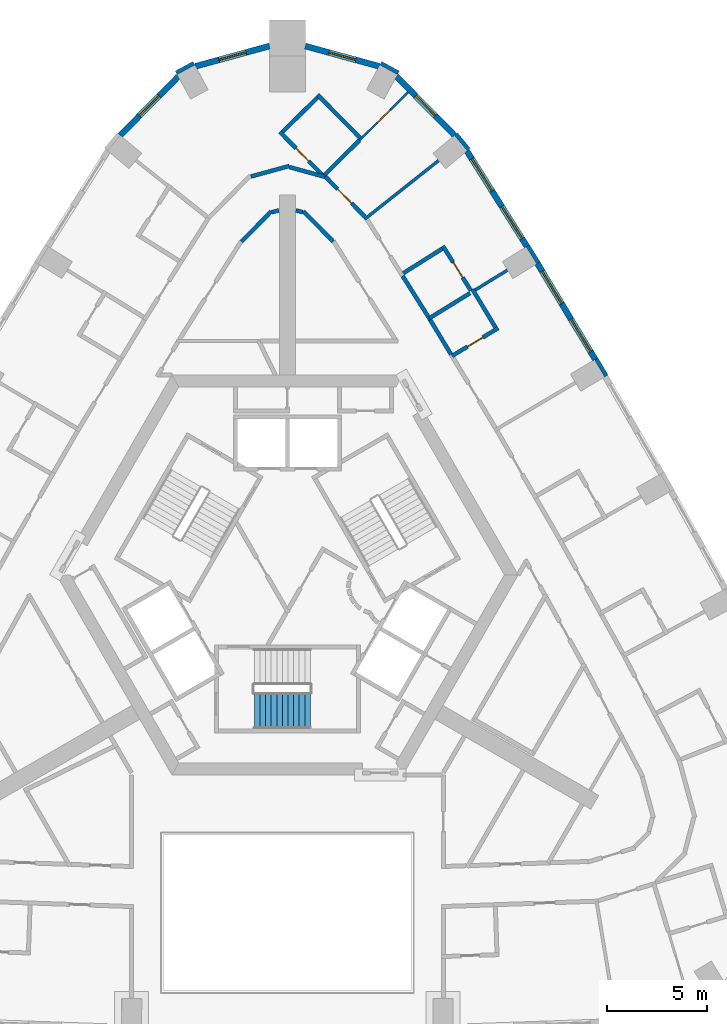
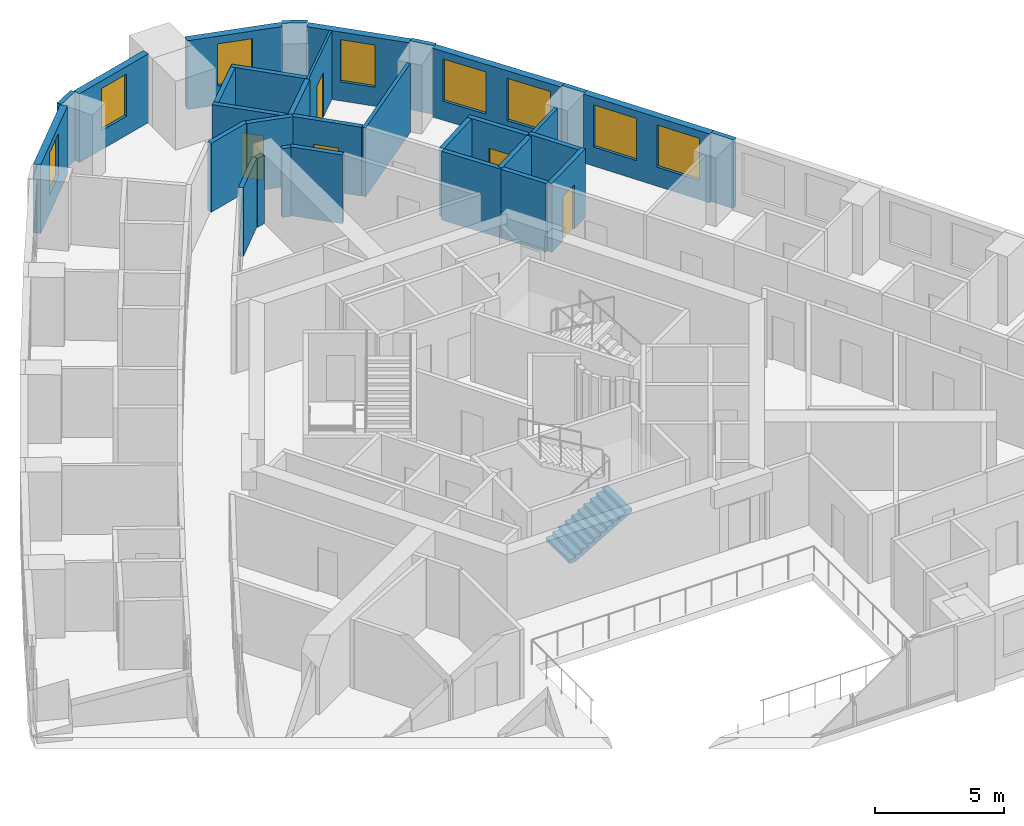
# One storey, part 10 of 12: 32 walls, 8 windows, 5 doors, 1 stair flight, 13 openings, 1 element without a shape of its own.
"""IFC4 building model written with IfcOpenShell, lengths in metres."""

from ifc_helpers import new_model, si_unit, direction, frame, frame_2d, origin, place, context, subcontext, project, spatial, polyline, rectangle, outline, extrude, material, layer, layer_set, type_object, element, fill, aggregate, save


model = new_model("IFC4")

# Units and contexts
model_context = context("Model", 3, precision=1e-05, world=origin(), true_north=direction((0.0, 1.0)))
body_context = subcontext(model_context, "Body", "Model", "MODEL_VIEW")
ifc_project = project(units=[si_unit("LENGTHUNIT", "METRE"), si_unit("AREAUNIT", "SQUARE_METRE"), si_unit("VOLUMEUNIT", "CUBIC_METRE"), si_unit("PLANEANGLEUNIT", "RADIAN"), si_unit("MASSUNIT", "GRAM", prefix="KILO")], contexts=[model_context])

# Site, building, storey
site_placement = place(None, origin())
site = spatial("IfcSite", under=ifc_project, at=site_placement, CompositionType="ELEMENT")
building_placement = place(site_placement, origin())
building = spatial("IfcBuilding", under=site, at=building_placement, Name="Entoto Arch Interchange Tower", CompositionType="ELEMENT")
storey_placement = place(building_placement, frame((0.0, 0.0, 255.800048828125)))
storey = spatial("IfcBuildingStorey", under=building, at=storey_placement, Name="L58", CompositionType="ELEMENT", Elevation=255.800048828125)

# Wall, opening, door
ifc_material_1 = material(Name="Gypsum board partition on steel studs", Category="steel")
ifc_layer_1 = layer(ifc_material_1, 0.10009765625)
ifc_layer_set_1 = layer_set([ifc_layer_1], Name="Gypsum board partition on steel studs")
wall_type_1 = type_object("IfcWallType", Name="PARTITION 100", PredefinedType="PARTITIONING", material=ifc_layer_set_1)
wall_1_placement = place(storey_placement, frame((3.613037109375, 24.237060546875, 0.0), z_axis=(0.0, 0.0, 1.0), x_axis=(0.711651188682, 0.702532978335, 0.0)))
wall_1 = element("IfcWall", 1, at=wall_1_placement, inside=storey, type_object=wall_type_1, Name="wall:L58:p150", PredefinedType="PARTITIONING", context=body_context, shape_type="SweptSolid", body=[
    extrude(rectangle(XDim=3.400390625, YDim=0.10009765625, at=frame_2d((1.7001953125, 0.0))), origin(), (0.0, 0.0, 1.0), 3.260009765625),
])
opening_1_placement = place(wall_1_placement, frame((1.25, 0.0, 0.0)))
opening_1 = element("IfcOpeningElement", 2, at=opening_1_placement, cuts=wall_1, Name="Opening L58-D17", PredefinedType="OPENING", context=body_context, shape_type="SweptSolid", body=[
    extrude(rectangle(XDim=0.89990234375, YDim=2.10009765625, at=frame_2d((0.449951171875, 1.050048828125))), frame((0.0, 0.06005859375, 0.0), z_axis=(0.0, -1.0, 0.0), x_axis=(1.0, 0.0, 0.0)), (0.0, 0.0, 1.0), 0.1201171875),
])
ifc_material_2 = material(Name="Timber door leaf in Steel S235 frame", Category="steel")
door_type_1 = type_object("IfcDoorType", Name="DOOR DS-09 900x2100", OperationType="SINGLE_SWING_LEFT", PredefinedType="DOOR", material=ifc_material_2)
door_1_placement = place(opening_1_placement, origin())
door_1 = element("IfcDoor", 3, at=door_1_placement, inside=storey, type_object=door_type_1, Name="door:L58:17", OperationType="SINGLE_SWING_RIGHT", OverallHeight=2.10009765625, OverallWidth=0.89990234375, PredefinedType="DOOR", context=body_context, shape_type="SweptSolid", body=[
    extrude(rectangle(XDim=0.89990234375, YDim=2.10009765625, at=frame_2d((0.449951171875, 1.050048828125))), frame((0.0, 0.02490234375, 0.0), z_axis=(0.0, -1.0, 0.0), x_axis=(1.0, 0.0, 0.0)), (0.0, 0.0, 1.0), 0.050048828125),
])
fill(opening_1, door_1)

# Walls
ifc_layer_2 = layer(ifc_material_1, 0.14990234375)
ifc_layer_set_2 = layer_set([ifc_layer_2], Name="Gypsum board partition on steel studs")
wall_type_2 = type_object("IfcWallType", Name="PARTITION 150", PredefinedType="PARTITIONING", material=ifc_layer_set_2)
wall_2_placement = place(storey_placement, frame((9.39501953125, 16.74609375, 0.0), z_axis=(0.0, 0.0, 1.0), x_axis=(0.851524542888, 0.524314745987, 0.0)))
element("IfcWall", 4, at=wall_2_placement, inside=storey, type_object=wall_type_2, Name="wall:L58:p145", PredefinedType="PARTITIONING", context=body_context, shape_type="SweptSolid", body=[
    extrude(rectangle(XDim=1.880126953125, YDim=0.14990234375, at=frame_2d((0.93994140625, 0.0))), origin(), (0.0, 0.0, 1.0), 3.260009765625),
])
wall_3_placement = place(storey_placement, frame((3.863037109375, 20.283935546875, 0.0), z_axis=(0.0, 0.0, 1.0), x_axis=(0.783618453885, 0.621242399335, 0.0)))
element("IfcWall", 5, at=wall_3_placement, inside=storey, type_object=wall_type_2, Name="wall:L58:p149", PredefinedType="PARTITIONING", context=body_context, shape_type="SweptSolid", body=[
    extrude(rectangle(XDim=4.716552734375, YDim=0.14990234375, at=frame_2d((2.3583984375, 0.0))), origin(), (0.0, 0.0, 1.0), 3.260009765625),
])
ifc_layer_3 = layer(ifc_material_1, 0.199951171875)
ifc_layer_set_3 = layer_set([ifc_layer_3], Name="Gypsum board partition on steel studs")
wall_type_3 = type_object("IfcWallType", Name="PARTITION 200", PredefinedType="PARTITIONING", material=ifc_layer_set_3)
wall_4_placement = place(storey_placement, frame((2.2939453125, 19.1669921875, 0.0), z_axis=(0.0, 0.0, 1.0), x_axis=(-0.70213913596, 0.712039769784, 0.0)))
element("IfcWall", 6, at=wall_4_placement, inside=storey, type_object=wall_type_3, Name="wall:L58:p008", PredefinedType="PARTITIONING", context=body_context, shape_type="SweptSolid", body=[
    extrude(rectangle(XDim=2.12060546875, YDim=0.199951171875, at=frame_2d((1.060302734375, 0.0))), origin(), (0.0, 0.0, 1.0), 3.260009765625),
])
for number, where, z_axis, x_axis, name in (
    (7, (0.778076171875, 20.632080078125, 0.0), (0.0, 0.0, 1.0), (-0.964810127056, 0.262947558899, 0.0), "wall:L58:p009"),
    (8, (-0.426025390625, 20.72802734375, 0.0), (0.0, 0.0, 1.0), (-0.964810127056, -0.262947558899, 0.0), "wall:L58:p011"),
):
    element("IfcWall", number, at=place(storey_placement, frame(where, z_axis=z_axis, x_axis=x_axis)), inside=storey, type_object=wall_type_3, Name=name, PredefinedType="PARTITIONING", context=body_context, shape_type="SweptSolid", body=[
        extrude(rectangle(XDim=0.364990234375, YDim=0.199951171875, at=frame_2d((0.1826171875, 0.0))), origin(), (0.0, 0.0, 1.0), 3.260009765625),
    ])
wall_5_placement = place(storey_placement, frame((-0.804931640625, 20.677001953125, 0.0), z_axis=(0.0, 0.0, 1.0), x_axis=(-0.70213913596, -0.712039769784, 0.0)))
element("IfcWall", 9, at=wall_5_placement, inside=storey, type_object=wall_type_3, Name="wall:L58:p012", PredefinedType="PARTITIONING", context=body_context, shape_type="SweptSolid", body=[
    extrude(rectangle(XDim=2.12060546875, YDim=0.199951171875, at=frame_2d((1.060302734375, 0.0))), origin(), (0.0, 0.0, 1.0), 3.260009765625),
])
wall_6_placement = place(storey_placement, frame((7.14794921875, 15.2451171875, 0.0), z_axis=(0.0, 0.0, 1.0), x_axis=(0.516361066184, -0.856370976463, 0.0)))
element("IfcWall", 10, at=wall_6_placement, inside=storey, type_object=wall_type_3, Name="wall:L58:p049", PredefinedType="PARTITIONING", context=body_context, shape_type="SweptSolid", body=[
    extrude(rectangle(XDim=2.00048828125, YDim=0.199951171875, at=frame_2d((1.000244140625, 0.0))), origin(), (0.0, 0.0, 1.0), 3.260009765625),
])
wall_7_placement = place(storey_placement, frame((5.76611328125, 17.446044921875, 0.0), z_axis=(0.0, 0.0, 1.0), x_axis=(0.532437006176, -0.846469629966, 0.0)))
element("IfcWall", 11, at=wall_7_placement, inside=storey, type_object=wall_type_3, Name="wall:L58:p051", PredefinedType="PARTITIONING", context=body_context, shape_type="SweptSolid", body=[
    extrude(rectangle(XDim=2.598876953125, YDim=0.199951171875, at=frame_2d((1.29931640625, 0.0))), origin(), (0.0, 0.0, 1.0), 3.260009765625),
])

# Wall, opening, door
wall_8_placement = place(storey_placement, frame((1.85107421875, 22.464111328125, 0.0), z_axis=(0.0, 0.0, 1.0), x_axis=(0.70237969133, -0.711802479068, 0.0)))
wall_8 = element("IfcWall", 12, at=wall_8_placement, inside=storey, type_object=wall_type_3, Name="wall:L58:p052", PredefinedType="PARTITIONING", context=body_context, shape_type="SweptSolid", body=[
    extrude(rectangle(XDim=2.8759765625, YDim=0.199951171875, at=frame_2d((1.43798828125, 0.0))), origin(), (0.0, 0.0, 1.0), 3.260009765625),
])
opening_2_placement = place(wall_8_placement, frame((0.93798828125, 0.0, 0.0)))
opening_2 = element("IfcOpeningElement", 13, at=opening_2_placement, cuts=wall_8, Name="Opening L58-D16", PredefinedType="OPENING", context=body_context, shape_type="SweptSolid", body=[
    extrude(rectangle(XDim=1.0, YDim=2.10009765625, at=frame_2d((0.5, 1.050048828125))), frame((0.0, 0.10986328125, 0.0), z_axis=(0.0, -1.0, 0.0), x_axis=(1.0, 0.0, 0.0)), (0.0, 0.0, 1.0), 0.219970703125),
])
ifc_material_3 = material(Name="Fire-rated Steel S235 door and frame", Category="steel")
door_type_2 = type_object("IfcDoorType", Name="DOOR FD-10 1000x2100", OperationType="SINGLE_SWING_LEFT", PredefinedType="DOOR", material=ifc_material_3)
door_2_placement = place(opening_2_placement, origin())
door_2 = element("IfcDoor", 14, at=door_2_placement, inside=storey, type_object=door_type_2, Name="door:L58:16", OperationType="SINGLE_SWING_LEFT", OverallHeight=2.10009765625, OverallWidth=1.0, PredefinedType="DOOR", context=body_context, shape_type="SweptSolid", body=[
    extrude(rectangle(XDim=1.0, YDim=2.10009765625, at=frame_2d((0.5, 1.050048828125))), frame((0.0, 0.02490234375, 0.0), z_axis=(0.0, -1.0, 0.0), x_axis=(1.0, 0.0, 0.0)), (0.0, 0.0, 1.0), 0.050048828125),
])
fill(opening_2, door_2)

# Walls
wall_9_placement = place(storey_placement, frame((-1.824951171875, 22.4189453125, 0.0), z_axis=(0.0, 0.0, 1.0), x_axis=(0.964477541401, 0.26416485787, 0.0)))
element("IfcWall", 15, at=wall_9_placement, inside=storey, type_object=wall_type_3, Name="wall:L58:p054", PredefinedType="PARTITIONING", context=body_context, shape_type="SweptSolid", body=[
    extrude(rectangle(XDim=1.99169921875, YDim=0.199951171875, at=frame_2d((0.995849609375, 0.0))), origin(), (0.0, 0.0, 1.0), 3.260009765625),
])
wall_10_placement = place(storey_placement, frame((0.095947265625, 22.89208984375, 0.0), z_axis=(0.0, 0.0, 1.0), x_axis=(0.964519582336, -0.264011316595, 0.0)))
element("IfcWall", 16, at=wall_10_placement, inside=storey, type_object=wall_type_3, Name="wall:L58:p055", PredefinedType="PARTITIONING", context=body_context, shape_type="SweptSolid", body=[
    extrude(rectangle(XDim=1.8486328125, YDim=0.199951171875, at=frame_2d((0.92431640625, 0.0))), origin(), (0.0, 0.0, 1.0), 3.260009765625),
])

# Wall, opening, door
wall_11_placement = place(storey_placement, frame((8.23291015625, 13.446044921875, 0.0), z_axis=(0.0, 0.0, 1.0), x_axis=(0.856373825811, 0.516356340589, 0.0)))
wall_11 = element("IfcWall", 17, at=wall_11_placement, inside=storey, type_object=wall_type_3, Name="wall:L58:p143", PredefinedType="PARTITIONING", context=body_context, shape_type="SweptSolid", body=[
    extrude(rectangle(XDim=2.69970703125, YDim=0.199951171875, at=frame_2d((1.349853515625, 0.0))), origin(), (0.0, 0.0, 1.0), 3.260009765625),
])
opening_3_placement = place(wall_11_placement, frame((0.89990234375, 0.0, 0.0)))
opening_3 = element("IfcOpeningElement", 18, at=opening_3_placement, cuts=wall_11, Name="Opening L58-D13", PredefinedType="OPENING", context=body_context, shape_type="SweptSolid", body=[
    extrude(rectangle(XDim=0.89990234375, YDim=2.10009765625, at=frame_2d((0.449951171875, 1.050048828125))), frame((0.0, 0.10986328125, 0.0), z_axis=(0.0, -1.0, 0.0), x_axis=(1.0, 0.0, 0.0)), (0.0, 0.0, 1.0), 0.219970703125),
])
door_3_placement = place(opening_3_placement, origin())
door_3 = element("IfcDoor", 19, at=door_3_placement, inside=storey, type_object=door_type_1, Name="door:L58:13", OperationType="SINGLE_SWING_LEFT", OverallHeight=2.10009765625, OverallWidth=0.89990234375, PredefinedType="DOOR", context=body_context, shape_type="SweptSolid", body=[
    extrude(rectangle(XDim=0.89990234375, YDim=2.10009765625, at=frame_2d((0.449951171875, 1.050048828125))), frame((0.0, 0.02490234375, 0.0), z_axis=(0.0, -1.0, 0.0), x_axis=(1.0, 0.0, 0.0)), (0.0, 0.0, 1.0), 0.050048828125),
])
fill(opening_3, door_3)

# Walls
wall_12_placement = place(storey_placement, frame((10.407958984375, 14.8740234375, 0.0), z_axis=(0.0, 0.0, 1.0), x_axis=(-0.516768967276, 0.856124894195, 0.0)))
element("IfcWall", 20, at=wall_12_placement, inside=storey, type_object=wall_type_3, Name="wall:L58:p144", PredefinedType="PARTITIONING", context=body_context, shape_type="SweptSolid", body=[
    extrude(rectangle(XDim=2.22509765625, YDim=0.199951171875, at=frame_2d((1.112548828125, 0.0))), origin(), (0.0, 0.0, 1.0), 3.260009765625),
])
wall_13_placement = place(storey_placement, frame((7.096923828125, 15.330078125, 0.0), z_axis=(0.0, 0.0, 1.0), x_axis=(0.851207242031, 0.524829716302, 0.0)))
element("IfcWall", 21, at=wall_13_placement, inside=storey, type_object=wall_type_3, Name="wall:L58:p146", PredefinedType="PARTITIONING", context=body_context, shape_type="SweptSolid", body=[
    extrude(rectangle(XDim=2.39892578125, YDim=0.199951171875, at=frame_2d((1.199462890625, 0.0))), origin(), (0.0, 0.0, 1.0), 3.260009765625),
])

# Wall, opening, door
wall_14_placement = place(storey_placement, frame((9.172119140625, 16.72509765625, 0.0), z_axis=(0.0, 0.0, 1.0), x_axis=(-0.532329646536, 0.846537150643, 0.0)))
wall_14 = element("IfcWall", 22, at=wall_14_placement, inside=storey, type_object=wall_type_3, Name="wall:L58:p147", PredefinedType="PARTITIONING", context=body_context, shape_type="SweptSolid", body=[
    extrude(rectangle(XDim=2.624755859375, YDim=0.199951171875, at=frame_2d((1.3125, 0.0))), origin(), (0.0, 0.0, 1.0), 3.260009765625),
])
opening_4_placement = place(wall_14_placement, frame((0.762939453125, 0.0, 0.0)))
opening_4 = element("IfcOpeningElement", 23, at=opening_4_placement, cuts=wall_14, Name="Opening L58-D15", PredefinedType="OPENING", context=body_context, shape_type="SweptSolid", body=[
    extrude(rectangle(XDim=0.89990234375, YDim=2.10009765625, at=frame_2d((0.449951171875, 1.050048828125))), frame((0.0, 0.10986328125, 0.0), z_axis=(0.0, -1.0, 0.0), x_axis=(1.0, 0.0, 0.0)), (0.0, 0.0, 1.0), 0.219970703125),
])
door_4_placement = place(opening_4_placement, origin())
door_4 = element("IfcDoor", 24, at=door_4_placement, inside=storey, type_object=door_type_1, Name="door:L58:15", OperationType="SINGLE_SWING_LEFT", OverallHeight=2.10009765625, OverallWidth=0.89990234375, PredefinedType="DOOR", context=body_context, shape_type="SweptSolid", body=[
    extrude(rectangle(XDim=0.89990234375, YDim=2.10009765625, at=frame_2d((0.449951171875, 1.050048828125))), frame((0.0, 0.02490234375, 0.0), z_axis=(0.0, -1.0, 0.0), x_axis=(1.0, 0.0, 0.0)), (0.0, 0.0, 1.0), 0.050048828125),
])
fill(opening_4, door_4)

# Walls
wall_15_placement = place(storey_placement, frame((7.743896484375, 18.80908203125, 0.0), z_axis=(0.0, 0.0, 1.0), x_axis=(-0.846360434059, -0.532610566605, 0.0)))
element("IfcWall", 25, at=wall_15_placement, inside=storey, type_object=wall_type_3, Name="wall:L58:p148", PredefinedType="PARTITIONING", context=body_context, shape_type="SweptSolid", body=[
    extrude(rectangle(XDim=2.30029296875, YDim=0.199951171875, at=frame_2d((1.150146484375, 0.0))), origin(), (0.0, 0.0, 1.0), 3.260009765625),
])
wall_16_placement = place(storey_placement, frame((1.798095703125, 22.446044921875, 0.0), z_axis=(0.0, 0.0, 1.0), x_axis=(0.711782817297, 0.702399616316, 0.0)))
element("IfcWall", 26, at=wall_16_placement, inside=storey, type_object=wall_type_3, Name="wall:L58:p151", PredefinedType="PARTITIONING", context=body_context, shape_type="SweptSolid", body=[
    extrude(rectangle(XDim=2.5498046875, YDim=0.199951171875, at=frame_2d((1.27490234375, 0.0))), origin(), (0.0, 0.0, 1.0), 3.260009765625),
])
wall_17_placement = place(storey_placement, frame((3.718994140625, 24.27197265625, 0.0), z_axis=(0.0, 0.0, 1.0), x_axis=(-0.70232328337, 0.711858135893, 0.0)))
element("IfcWall", 27, at=wall_17_placement, inside=storey, type_object=wall_type_3, Name="wall:L58:p152", PredefinedType="PARTITIONING", context=body_context, shape_type="SweptSolid", body=[
    extrude(rectangle(XDim=3.1494140625, YDim=0.199951171875, at=frame_2d((1.57470703125, 0.0))), origin(), (0.0, 0.0, 1.0), 3.260009765625),
])
wall_18_placement = place(storey_placement, frame((1.506103515625, 26.3720703125, 0.0), z_axis=(0.0, 0.0, 1.0), x_axis=(-0.711773999329, -0.702408551969, 0.0)))
element("IfcWall", 28, at=wall_18_placement, inside=storey, type_object=wall_type_3, Name="wall:L58:p153", PredefinedType="PARTITIONING", context=body_context, shape_type="SweptSolid", body=[
    extrude(rectangle(XDim=2.450439453125, YDim=0.199951171875, at=frame_2d((1.22509765625, 0.0))), origin(), (0.0, 0.0, 1.0), 3.260009765625),
])

# Wall, opening, door
wall_19_placement = place(storey_placement, frame((-0.37890625, 24.652099609375, 0.0), z_axis=(0.0, 0.0, 1.0), x_axis=(0.702559610983, -0.711624896286, 0.0)))
wall_19 = element("IfcWall", 29, at=wall_19_placement, inside=storey, type_object=wall_type_3, Name="wall:L58:p154", PredefinedType="PARTITIONING", context=body_context, shape_type="SweptSolid", body=[
    extrude(rectangle(XDim=3.1240234375, YDim=0.199951171875, at=frame_2d((1.56201171875, 0.0))), origin(), (0.0, 0.0, 1.0), 3.260009765625),
])
opening_5_placement = place(wall_19_placement, frame((1.14990234375, 0.0, 0.0)))
opening_5 = element("IfcOpeningElement", 30, at=opening_5_placement, cuts=wall_19, Name="Opening L58-D18", PredefinedType="OPENING", context=body_context, shape_type="SweptSolid", body=[
    extrude(rectangle(XDim=0.89990234375, YDim=2.10009765625, at=frame_2d((0.449951171875, 1.050048828125))), frame((0.0, 0.10986328125, 0.0), z_axis=(0.0, -1.0, 0.0), x_axis=(1.0, 0.0, 0.0)), (0.0, 0.0, 1.0), 0.219970703125),
])
door_5_placement = place(opening_5_placement, origin())
door_5 = element("IfcDoor", 31, at=door_5_placement, inside=storey, type_object=door_type_1, Name="door:L58:18", OperationType="SINGLE_SWING_RIGHT", OverallHeight=2.10009765625, OverallWidth=0.89990234375, PredefinedType="DOOR", context=body_context, shape_type="SweptSolid", body=[
    extrude(rectangle(XDim=0.89990234375, YDim=2.10009765625, at=frame_2d((0.449951171875, 1.050048828125))), frame((0.0, 0.02490234375, 0.0), z_axis=(0.0, -1.0, 0.0), x_axis=(1.0, 0.0, 0.0)), (0.0, 0.0, 1.0), 0.050048828125),
])
fill(opening_5, door_5)

# Wall, openings, windows
ifc_material_4 = material(Name="Welded tuff (ignimbrite) cladding, warm buff", Category="masonry")
ifc_layer_4 = layer(ifc_material_4, 0.300048828125)
ifc_layer_set_4 = layer_set([ifc_layer_4], Name="Welded tuff (ignimbrite) cladding, warm buff")
wall_type_4 = type_object("IfcWallType", Name="STONE INFILL WALL 300", PredefinedType="STANDARD", material=ifc_layer_set_4)
wall_20_placement = place(storey_placement, frame((15.39892578125, 13.277099609375, 0.0), z_axis=(0.0, 0.0, 1.0), x_axis=(-0.516269519619, 0.856426169096, 0.0)))
wall_20 = element("IfcWall", 32, at=wall_20_placement, inside=storey, type_object=wall_type_4, Name="Facade wall NE-04 L58", PredefinedType="STANDARD", context=body_context, shape_type="SweptSolid", body=[
    extrude(rectangle(XDim=5.603271484375, YDim=0.300048828125, at=frame_2d((2.8017578125, 0.0))), origin(), (0.0, 0.0, 1.0), 3.260009765625),
])
opening_6_placement = place(wall_20_placement, frame((0.450927734375, 0.0, 0.89990234375)))
opening_6 = element("IfcOpeningElement", 33, at=opening_6_placement, cuts=wall_20, Name="Opening WH-C", PredefinedType="OPENING", context=body_context, shape_type="SweptSolid", body=[
    extrude(rectangle(XDim=1.89990234375, YDim=2.0, at=frame_2d((0.949951171875, 1.0))), frame((0.0, 0.16015625, 0.0), z_axis=(0.0, -1.0, 0.0), x_axis=(1.0, 0.0, 0.0)), (0.0, 0.0, 1.0), 0.320068359375),
])
opening_7_placement = place(wall_20_placement, frame((3.2529296875, 0.0, 0.89990234375)))
opening_7 = element("IfcOpeningElement", 34, at=opening_7_placement, cuts=wall_20, Name="Opening WH-C", PredefinedType="OPENING", context=body_context, shape_type="SweptSolid", body=[
    extrude(rectangle(XDim=1.89990234375, YDim=2.0, at=frame_2d((0.949951171875, 1.0))), frame((0.0, 0.16015625, 0.0), z_axis=(0.0, -1.0, 0.0), x_axis=(1.0, 0.0, 0.0)), (0.0, 0.0, 1.0), 0.320068359375),
])
ifc_material_5 = material(Name="Clear glass, low-e double glazed", Category="glass")
window_type_1 = type_object("IfcWindowType", Name="WINDOW WH-C 1900x2000", PartitioningType="DOUBLE_PANEL_VERTICAL", PredefinedType="WINDOW", material=ifc_material_5)
window_1_placement = place(opening_6_placement, origin())
window_1 = element("IfcWindow", 35, at=window_1_placement, inside=storey, type_object=window_type_1, Name="Window WH-C NE-04 L58", OverallHeight=2.0, OverallWidth=1.89990234375, PartitioningType="SINGLE_PANEL", PredefinedType="WINDOW", context=body_context, shape_type="SweptSolid", body=[
    extrude(rectangle(XDim=1.89990234375, YDim=2.0, at=frame_2d((0.949951171875, 1.0))), frame((0.0, 0.030029296875, 0.0), z_axis=(0.0, -1.0, 0.0), x_axis=(1.0, 0.0, 0.0)), (0.0, 0.0, 1.0), 0.06005859375),
])
fill(opening_6, window_1)
window_2_placement = place(opening_7_placement, origin())
window_2 = element("IfcWindow", 36, at=window_2_placement, inside=storey, type_object=window_type_1, Name="Window WH-C NE-04 L58", OverallHeight=2.0, OverallWidth=1.89990234375, PartitioningType="SINGLE_PANEL", PredefinedType="WINDOW", context=body_context, shape_type="SweptSolid", body=[
    extrude(rectangle(XDim=1.89990234375, YDim=2.0, at=frame_2d((0.949951171875, 1.0))), frame((0.0, 0.030029296875, 0.0), z_axis=(0.0, -1.0, 0.0), x_axis=(1.0, 0.0, 0.0)), (0.0, 0.0, 1.0), 0.06005859375),
])
fill(opening_7, window_2)

wall_21_placement = place(storey_placement, frame((11.98291015625, 18.926025390625, 0.0), z_axis=(0.0, 0.0, 1.0), x_axis=(-0.532558226688, 0.846393369059, 0.0)))
wall_21 = element("IfcWall", 37, at=wall_21_placement, inside=storey, type_object=wall_type_4, Name="Facade wall NE-05 L58", PredefinedType="STANDARD", context=body_context, shape_type="SweptSolid", body=[
    extrude(rectangle(XDim=5.636962890625, YDim=0.300048828125, at=frame_2d((2.818359375, 0.0))), origin(), (0.0, 0.0, 1.0), 3.260009765625),
])
opening_8_placement = place(wall_21_placement, frame((0.458984375, 0.0, 0.89990234375)))
opening_8 = element("IfcOpeningElement", 38, at=opening_8_placement, cuts=wall_21, Name="Opening WH-C", PredefinedType="OPENING", context=body_context, shape_type="SweptSolid", body=[
    extrude(rectangle(XDim=1.89990234375, YDim=2.0, at=frame_2d((0.949951171875, 1.0))), frame((0.0, 0.16015625, 0.0), z_axis=(0.0, -1.0, 0.0), x_axis=(1.0, 0.0, 0.0)), (0.0, 0.0, 1.0), 0.320068359375),
])
opening_9_placement = place(wall_21_placement, frame((3.278076171875, 0.0, 0.89990234375)))
opening_9 = element("IfcOpeningElement", 39, at=opening_9_placement, cuts=wall_21, Name="Opening WH-C", PredefinedType="OPENING", context=body_context, shape_type="SweptSolid", body=[
    extrude(rectangle(XDim=1.89990234375, YDim=2.0, at=frame_2d((0.949951171875, 1.0))), frame((0.0, 0.16015625, 0.0), z_axis=(0.0, -1.0, 0.0), x_axis=(1.0, 0.0, 0.0)), (0.0, 0.0, 1.0), 0.320068359375),
])
window_3_placement = place(opening_8_placement, origin())
window_3 = element("IfcWindow", 40, at=window_3_placement, inside=storey, type_object=window_type_1, Name="Window WH-C NE-05 L58", OverallHeight=2.0, OverallWidth=1.89990234375, PartitioningType="SINGLE_PANEL", PredefinedType="WINDOW", context=body_context, shape_type="SweptSolid", body=[
    extrude(rectangle(XDim=1.89990234375, YDim=2.0, at=frame_2d((0.949951171875, 1.0))), frame((0.0, 0.030029296875, 0.0), z_axis=(0.0, -1.0, 0.0), x_axis=(1.0, 0.0, 0.0)), (0.0, 0.0, 1.0), 0.06005859375),
])
fill(opening_8, window_3)
window_4_placement = place(opening_9_placement, origin())
window_4 = element("IfcWindow", 41, at=window_4_placement, inside=storey, type_object=window_type_1, Name="Window WH-C NE-05 L58", OverallHeight=2.0, OverallWidth=1.89990234375, PartitioningType="SINGLE_PANEL", PredefinedType="WINDOW", context=body_context, shape_type="SweptSolid", body=[
    extrude(rectangle(XDim=1.89990234375, YDim=2.0, at=frame_2d((0.949951171875, 1.0))), frame((0.0, 0.030029296875, 0.0), z_axis=(0.0, -1.0, 0.0), x_axis=(1.0, 0.0, 0.0)), (0.0, 0.0, 1.0), 0.06005859375),
])
fill(opening_9, window_4)

# Wall, opening, window
wall_22_placement = place(storey_placement, frame((8.361083984375, 24.47998046875, 0.0), z_axis=(0.0, 0.0, 1.0), x_axis=(-0.702488411246, 0.711695181989, 0.0)))
wall_22 = element("IfcWall", 42, at=wall_22_placement, inside=storey, type_object=wall_type_4, Name="Facade wall N-01 L58", PredefinedType="STANDARD", context=body_context, shape_type="SweptSolid", body=[
    extrude(rectangle(XDim=4.13671875, YDim=0.300048828125, at=frame_2d((2.068359375, 0.0))), origin(), (0.0, 0.0, 1.0), 3.260009765625),
])
opening_10_placement = place(wall_22_placement, frame((1.367919921875, 0.0, 0.89990234375)))
opening_10 = element("IfcOpeningElement", 43, at=opening_10_placement, cuts=wall_22, Name="Opening WH-B", PredefinedType="OPENING", context=body_context, shape_type="SweptSolid", body=[
    extrude(rectangle(XDim=1.39990234375, YDim=2.0, at=frame_2d((0.699951171875, 1.0))), frame((0.0, 0.16015625, 0.0), z_axis=(0.0, -1.0, 0.0), x_axis=(1.0, 0.0, 0.0)), (0.0, 0.0, 1.0), 0.320068359375),
])
window_type_2 = type_object("IfcWindowType", Name="WINDOW WH-B 1400x2000", PartitioningType="DOUBLE_PANEL_VERTICAL", PredefinedType="WINDOW", material=ifc_material_5)
window_5_placement = place(opening_10_placement, origin())
window_5 = element("IfcWindow", 44, at=window_5_placement, inside=storey, type_object=window_type_2, Name="Window WH-B N-01 L58", OverallHeight=2.0, OverallWidth=1.39990234375, PartitioningType="SINGLE_PANEL", PredefinedType="WINDOW", context=body_context, shape_type="SweptSolid", body=[
    extrude(rectangle(XDim=1.39990234375, YDim=2.0, at=frame_2d((0.699951171875, 1.0))), frame((0.0, 0.030029296875, 0.0), z_axis=(0.0, -1.0, 0.0), x_axis=(1.0, 0.0, 0.0)), (0.0, 0.0, 1.0), 0.06005859375),
])
fill(opening_10, window_5)

wall_23_placement = place(storey_placement, frame((4.595947265625, 27.93310546875, 0.0), z_axis=(0.0, 0.0, 1.0), x_axis=(-0.964519409105, 0.264011949464, 0.0)))
wall_23 = element("IfcWall", 45, at=wall_23_placement, inside=storey, type_object=wall_type_4, Name="Facade wall N-02 L58", PredefinedType="STANDARD", context=body_context, shape_type="SweptSolid", body=[
    extrude(rectangle(XDim=3.8330078125, YDim=0.300048828125, at=frame_2d((1.91650390625, 0.0))), origin(), (0.0, 0.0, 1.0), 3.260009765625),
])
opening_11_placement = place(wall_23_placement, frame((1.217041015625, 0.0, 0.89990234375)))
opening_11 = element("IfcOpeningElement", 46, at=opening_11_placement, cuts=wall_23, Name="Opening WH-B", PredefinedType="OPENING", context=body_context, shape_type="SweptSolid", body=[
    extrude(rectangle(XDim=1.39990234375, YDim=2.0, at=frame_2d((0.699951171875, 1.0))), frame((0.0, 0.16015625, 0.0), z_axis=(0.0, -1.0, 0.0), x_axis=(1.0, 0.0, 0.0)), (0.0, 0.0, 1.0), 0.320068359375),
])
window_6_placement = place(opening_11_placement, origin())
window_6 = element("IfcWindow", 47, at=window_6_placement, inside=storey, type_object=window_type_2, Name="Window WH-B N-02 L58", OverallHeight=2.0, OverallWidth=1.39990234375, PartitioningType="SINGLE_PANEL", PredefinedType="WINDOW", context=body_context, shape_type="SweptSolid", body=[
    extrude(rectangle(XDim=1.39990234375, YDim=2.0, at=frame_2d((0.699951171875, 1.0))), frame((0.0, 0.030029296875, 0.0), z_axis=(0.0, -1.0, 0.0), x_axis=(1.0, 0.0, 0.0)), (0.0, 0.0, 1.0), 0.06005859375),
])
fill(opening_11, window_6)

wall_24_placement = place(storey_placement, frame((-0.89892578125, 28.945068359375, 0.0), z_axis=(0.0, 0.0, 1.0), x_axis=(-0.964519409105, -0.264011949464, 0.0)))
wall_24 = element("IfcWall", 48, at=wall_24_placement, inside=storey, type_object=wall_type_4, Name="Facade wall N-03 L58", PredefinedType="STANDARD", context=body_context, shape_type="SweptSolid", body=[
    extrude(rectangle(XDim=3.8330078125, YDim=0.300048828125, at=frame_2d((1.91650390625, 0.0))), origin(), (0.0, 0.0, 1.0), 3.260009765625),
])
opening_12_placement = place(wall_24_placement, frame((1.217041015625, 0.0, 0.89990234375)))
opening_12 = element("IfcOpeningElement", 49, at=opening_12_placement, cuts=wall_24, Name="Opening WH-B", PredefinedType="OPENING", context=body_context, shape_type="SweptSolid", body=[
    extrude(rectangle(XDim=1.39990234375, YDim=2.0, at=frame_2d((0.699951171875, 1.0))), frame((0.0, 0.16015625, 0.0), z_axis=(0.0, -1.0, 0.0), x_axis=(1.0, 0.0, 0.0)), (0.0, 0.0, 1.0), 0.320068359375),
])
window_7_placement = place(opening_12_placement, origin())
window_7 = element("IfcWindow", 50, at=window_7_placement, inside=storey, type_object=window_type_2, Name="Window WH-B N-03 L58", OverallHeight=2.0, OverallWidth=1.39990234375, PartitioningType="SINGLE_PANEL", PredefinedType="WINDOW", context=body_context, shape_type="SweptSolid", body=[
    extrude(rectangle(XDim=1.39990234375, YDim=2.0, at=frame_2d((0.699951171875, 1.0))), frame((0.0, 0.030029296875, 0.0), z_axis=(0.0, -1.0, 0.0), x_axis=(1.0, 0.0, 0.0)), (0.0, 0.0, 1.0), 0.06005859375),
])
fill(opening_12, window_7)

wall_25_placement = place(storey_placement, frame((-5.455078125, 27.424072265625, 0.0), z_axis=(0.0, 0.0, 1.0), x_axis=(-0.702488411246, -0.711695181989, 0.0)))
wall_25 = element("IfcWall", 51, at=wall_25_placement, inside=storey, type_object=wall_type_4, Name="Facade wall N-04 L58", PredefinedType="STANDARD", context=body_context, shape_type="SweptSolid", body=[
    extrude(rectangle(XDim=4.13671875, YDim=0.300048828125, at=frame_2d((2.068359375, 0.0))), origin(), (0.0, 0.0, 1.0), 3.260009765625),
])
opening_13_placement = place(wall_25_placement, frame((1.367919921875, 0.0, 0.89990234375)))
opening_13 = element("IfcOpeningElement", 52, at=opening_13_placement, cuts=wall_25, Name="Opening WH-B", PredefinedType="OPENING", context=body_context, shape_type="SweptSolid", body=[
    extrude(rectangle(XDim=1.39990234375, YDim=2.0, at=frame_2d((0.699951171875, 1.0))), frame((0.0, 0.16015625, 0.0), z_axis=(0.0, -1.0, 0.0), x_axis=(1.0, 0.0, 0.0)), (0.0, 0.0, 1.0), 0.320068359375),
])
window_8_placement = place(opening_13_placement, origin())
window_8 = element("IfcWindow", 53, at=window_8_placement, inside=storey, type_object=window_type_2, Name="Window WH-B N-04 L58", OverallHeight=2.0, OverallWidth=1.39990234375, PartitioningType="SINGLE_PANEL", PredefinedType="WINDOW", context=body_context, shape_type="SweptSolid", body=[
    extrude(rectangle(XDim=1.39990234375, YDim=2.0, at=frame_2d((0.699951171875, 1.0))), frame((0.0, 0.030029296875, 0.0), z_axis=(0.0, -1.0, 0.0), x_axis=(1.0, 0.0, 0.0)), (0.0, 0.0, 1.0), 0.06005859375),
])
fill(opening_13, window_8)

# Walls
ifc_layer_5 = layer(ifc_material_4, 0.199951171875)
ifc_layer_set_5 = layer_set([ifc_layer_5], Name="Welded tuff (ignimbrite) cladding, warm buff")
wall_type_5 = type_object("IfcWallType", Name="STONE PIER CLADDING 200", PredefinedType="STANDARD", material=ifc_layer_set_5)
for number, where, z_axis, x_axis, name in (
    (54, (5.554931640625, 27.60595703125, 0.0), (0.0, 0.0, 1.0), (-0.878250009632, 0.478201757191, 0.0), "Stone pier N1 L58"),
    (55, (-4.677001953125, 28.083984375, 0.0), (0.0, 0.0, 1.0), (-0.878250009632, -0.478201757191, 0.0), "Stone pier N3 L58"),
):
    element("IfcWall", number, at=place(storey_placement, frame(where, z_axis=z_axis, x_axis=x_axis)), inside=storey, type_object=wall_type_5, Name=name, PredefinedType="STANDARD", context=body_context, shape_type="SweptSolid", body=[
        extrude(rectangle(XDim=0.999755859375, YDim=0.199951171875, at=frame_2d((0.5, 0.0))), origin(), (0.0, 0.0, 1.0), 3.260009765625),
    ])
wall_26_placement = place(storey_placement, frame((15.9541015625, 12.445068359375, 0.0), z_axis=(0.0, 0.0, 1.0), x_axis=(-0.508268432768, 0.861198699634, 0.0)))
element("IfcWall", 56, at=wall_26_placement, inside=storey, type_object=wall_type_5, Name="Stone pier NE04 L58", PredefinedType="STANDARD", context=body_context, shape_type="SweptSolid", body=[
    extrude(rectangle(XDim=0.99951171875, YDim=0.199951171875, at=frame_2d((0.499755859375, 0.0))), origin(), (0.0, 0.0, 1.0), 3.260009765625),
])
wall_27_placement = place(storey_placement, frame((12.553955078125, 18.10400390625, 0.0), z_axis=(0.0, 0.0, 1.0), x_axis=(-0.525648735675, 0.850701714282, 0.0)))
element("IfcWall", 57, at=wall_27_placement, inside=storey, type_object=wall_type_5, Name="Stone pier NE05 L58", PredefinedType="STANDARD", context=body_context, shape_type="SweptSolid", body=[
    extrude(rectangle(XDim=1.00048828125, YDim=0.199951171875, at=frame_2d((0.500244140625, 0.0))), origin(), (0.0, 0.0, 1.0), 3.260009765625),
])
wall_28_placement = place(storey_placement, frame((9.071044921875, 23.77099609375, 0.0), z_axis=(0.0, 0.0, 1.0), x_axis=(-0.637972365578, 0.770059257953, 0.0)))
element("IfcWall", 58, at=wall_28_placement, inside=storey, type_object=wall_type_5, Name="Stone pier NE06 L58", PredefinedType="STANDARD", context=body_context, shape_type="SweptSolid", body=[
    extrude(rectangle(XDim=1.0, YDim=0.199951171875, at=frame_2d((0.5, 0.0))), origin(), (0.0, 0.0, 1.0), 3.260009765625),
])

# Stair, stair flight
ifc_material_6 = material(Name="Concrete C40/50", Category="concrete")
stair_type = type_object("IfcStairType", Name="EXIT STAIR RC 1800", PredefinedType="HALF_TURN_STAIR", material=ifc_material_6)
stair_placement = place(storey_placement, origin())
stair = element("IfcStair", 59, at=stair_placement, inside=storey, type_object=stair_type, Name="L58 Exit stair S", PredefinedType="HALF_TURN_STAIR")
stair_flight_type = type_object("IfcStairFlightType", Name="EXIT STAIR FLIGHT RC 1800", PredefinedType="STRAIGHT", material=ifc_material_6)
stair_flight_placement = place(storey_placement, frame((-1.64990234375, -4.300048828125, 0.0), z_axis=(0.0, 0.0, 1.0), x_axis=(1.0, 0.0, 0.0)))
stair_flight = element("IfcStairFlight", 60, at=stair_flight_placement, type_object=stair_flight_type, Name="ST-S flight 1", NumberOfRisers=11, NumberOfTreads=10, PredefinedType="STRAIGHT", RiserHeight=0.163636364, TreadLength=0.28, context=body_context, shape_type="SweptSolid", body=[
    extrude(outline(polyline([(-0.0029296875, 0.0), (-0.0029296875, 0.16357421875), (0.280029296875, 0.16357421875), (0.280029296875, 0.327392578125), (0.56005859375, 0.327392578125), (0.56005859375, 0.490966796875), (0.840087890625, 0.490966796875), (0.840087890625, 0.654541015625), (1.1201171875, 0.654541015625), (1.1201171875, 0.818115234375), (1.39990234375, 0.818115234375), (1.39990234375, 0.98193359375), (1.679931640625, 0.98193359375), (1.679931640625, 1.1455078125), (1.9599609375, 1.1455078125), (1.9599609375, 1.30908203125), (2.239990234375, 1.30908203125), (2.239990234375, 1.47265625), (2.52001953125, 1.47265625), (2.52001953125, 1.636474609375), (2.800048828125, 1.636474609375), (2.802978515625, 1.636474609375), (2.802978515625, 1.464599609375), (0.297119140625, 0.0), (-0.0029296875, 0.0)])), frame((0.0, 0.89990234375, 0.0), z_axis=(0.0, -1.0, 0.0), x_axis=(1.0, 0.0, 0.0)), (0.0, 0.0, 1.0), 1.800048828125),
])
aggregate(stair, [stair_flight])

save(model, "model.ifc")
